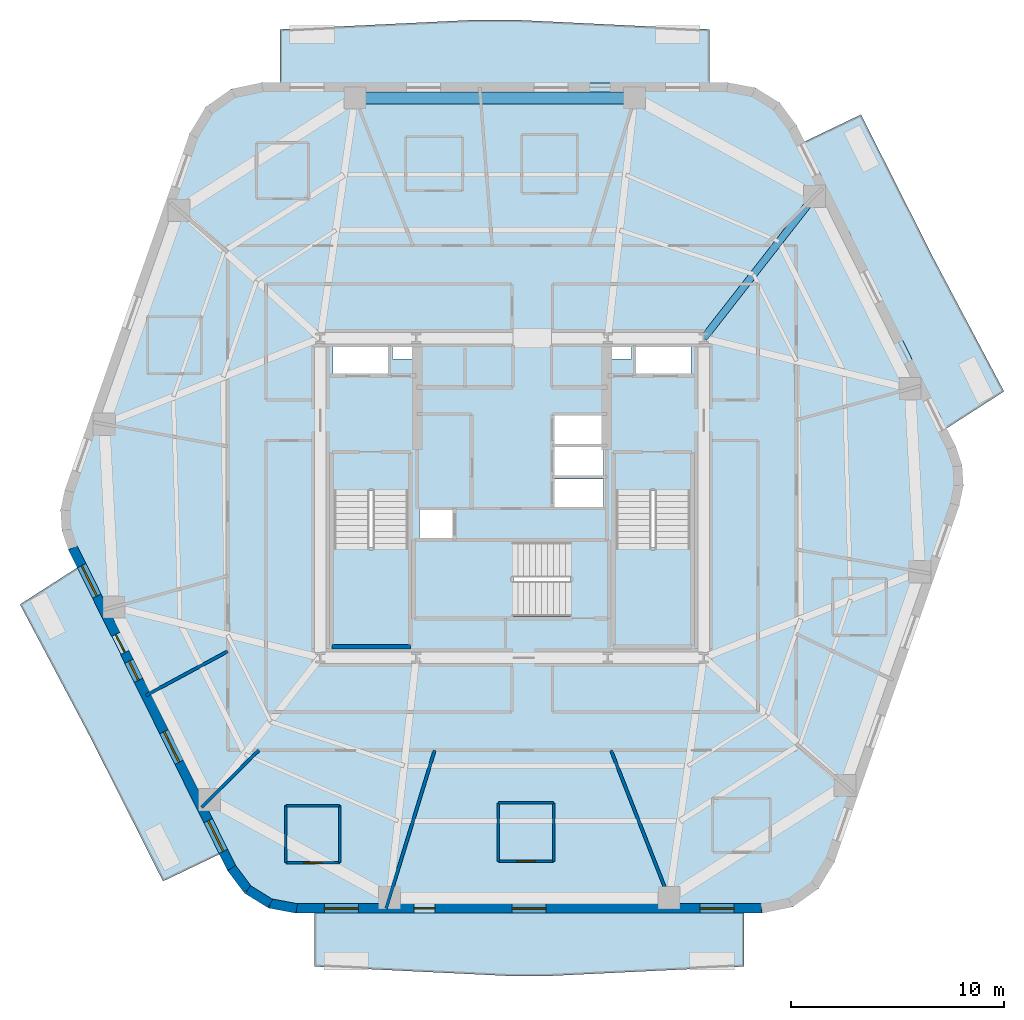
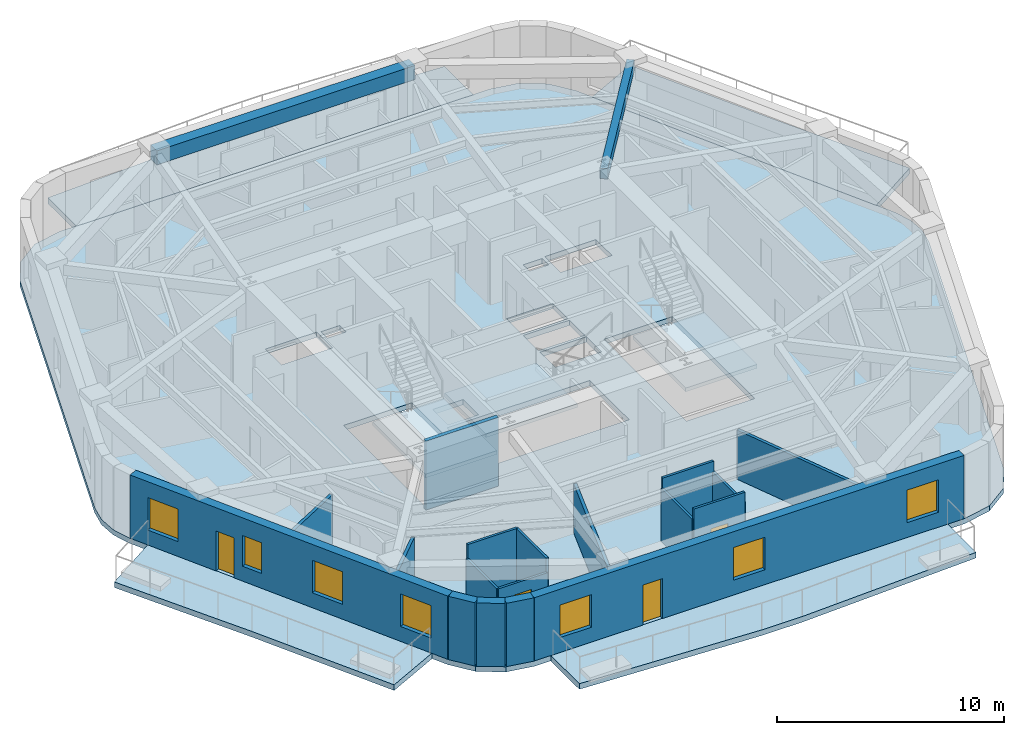
# One storey, part 2 of 10: 18 walls, 8 slabs, 7 windows, 4 doors, 2 beams, 11 openings, 3 elements without a shape of their own.
"""IFC4 building model written with IfcOpenShell, lengths in metres."""

from ifc_helpers import new_model, si_unit, direction, frame, frame_2d, origin, origin_2d, place, context, subcontext, project, spatial, polyline, rectangle, outline, extrude, material, layer, layer_set, material_profile, profile_set, type_object, element, fill, aggregate, save


model = new_model("IFC4")

# Units and contexts
model_context = context("Model", 3, precision=1e-05, world=origin(), true_north=direction((0.0, 1.0)))
body_context = subcontext(model_context, "Body", "Model", "MODEL_VIEW")
ifc_project = project(units=[si_unit("LENGTHUNIT", "METRE"), si_unit("AREAUNIT", "SQUARE_METRE"), si_unit("VOLUMEUNIT", "CUBIC_METRE"), si_unit("PLANEANGLEUNIT", "RADIAN"), si_unit("MASSUNIT", "GRAM", prefix="KILO")], contexts=[model_context])

# Site, building, storey
site_placement = place(None, origin())
site = spatial("IfcSite", under=ifc_project, at=site_placement, CompositionType="ELEMENT")
building_placement = place(site_placement, origin())
building = spatial("IfcBuilding", under=site, at=building_placement, Name="Kilnhurst Terrace Hotel", CompositionType="ELEMENT")
storey_placement = place(building_placement, frame((0.0, 0.0, 155.39990234375)))
storey = spatial("IfcBuildingStorey", under=building, at=storey_placement, Name="L38", CompositionType="ELEMENT", Elevation=155.39990234375)

# Beams
ifc_material_1 = material(Name="Concrete C50/60", Category="concrete")
ifc_material_profile_1 = material_profile(ifc_material_1, rectangle(XDim=0.35009765625, YDim=0.550048828125, at=origin_2d()), Name="RC350X550")
ifc_profile_set_1 = profile_set([ifc_material_profile_1], Name="Concrete C50/60")
beam_type_1 = type_object("IfcBeamType", Name="BM-RAD-350X550", PredefinedType="BEAM", material=ifc_profile_set_1)
beam_1_placement = place(storey_placement, frame((9.0, 7.5, 3.125), z_axis=(0.615370616457, 0.78823791104, 0.0), x_axis=(-0.78823791104, 0.615370616457, 0.0)))
element("IfcBeam", 1, at=beam_1_placement, inside=storey, type_object=beam_type_1, Name="L38 Radial Floor Beam 6", PredefinedType="BEAM", context=body_context, shape_type="SweptSolid", body=[
    extrude(rectangle(XDim=0.35009765625, YDim=0.550048828125, at=origin_2d()), origin(), (0.0, 0.0, 1.0), 8.456787109375),
])
ifc_material_profile_2 = material_profile(ifc_material_1, rectangle(XDim=0.550048828125, YDim=0.75, at=origin_2d()), Name="RC550X750")
ifc_profile_set_2 = profile_set([ifc_material_profile_2], Name="Concrete C50/60")
beam_type_2 = type_object("IfcBeamType", Name="BM-SPN-550X750", PredefinedType="SPANDREL", material=ifc_profile_set_2)
beam_2_placement = place(storey_placement, frame((5.7548828125, 18.780029296875, 3.025146484375), z_axis=(-1.0, 0.0, 0.0), x_axis=(0.0, -1.0, 0.0)))
element("IfcBeam", 2, at=beam_2_placement, inside=storey, type_object=beam_type_2, Name="L38 Perimeter Spandrel Beam 7", PredefinedType="SPANDREL", context=body_context, shape_type="SweptSolid", body=[
    extrude(rectangle(XDim=0.550048828125, YDim=0.75, at=origin_2d()), origin(), (0.0, 0.0, 1.0), 13.123779296875),
])

# Slabs
ifc_layer_1 = layer(ifc_material_1, 0.300048828125, Name="Concrete C50/60")
ifc_layer_set_1 = layer_set([ifc_layer_1], Name="Concrete C50/60")
slab_type_1 = type_object("IfcSlabType", Name="SLB-BAL-300", PredefinedType="FLOOR", material=ifc_layer_set_1)
slab_1_placement = place(storey_placement, frame((0.0, 0.0, -0.2998046875)))
element("IfcSlab", 3, at=slab_1_placement, inside=storey, type_object=slab_type_1, Name="L38 Cantilevered Planted Terrace Slab BAL-L1A", PredefinedType="FLOOR", context=body_context, shape_type="SweptSolid", body=[
    extrude(outline(polyline([(19.769287109375, 11.293212890625), (23.100830078125, 5.0), (20.393310546875, 3.25927734375), (13.718505859375, 16.72021484375), (16.384033203125, 18.0), (19.769287109375, 11.293212890625)])), origin(), (0.0, 0.0, 1.0), 0.2998046875),
])
slab_2_placement = place(storey_placement, frame((0.0, 0.0, -0.2998046875)))
element("IfcSlab", 4, at=slab_2_placement, inside=storey, type_object=slab_type_1, Name="L38 Cantilevered Planted Terrace Slab BAL-L1B", PredefinedType="FLOOR", context=body_context, shape_type="SweptSolid", body=[
    extrude(outline(polyline([(0.221923828125, 22.43994140625), (9.279296875, 22.0), (9.279296875, 19.47998046875), (-10.8935546875, 19.47998046875), (-10.8935546875, 22.0), (-1.83642578125, 22.43994140625), (0.221923828125, 22.43994140625)])), origin(), (0.0, 0.0, 1.0), 0.2998046875),
])
slab_3_placement = place(storey_placement, frame((0.0, 0.0, -0.2998046875)))
element("IfcSlab", 5, at=slab_3_placement, inside=storey, type_object=slab_type_1, Name="L38 Cantilevered Planted Terrace Slab BAL-L2A", PredefinedType="FLOOR", context=body_context, shape_type="SweptSolid", body=[
    extrude(outline(polyline([(-23.100830078125, -5.0), (-20.393310546875, -3.25927734375), (-13.718505859375, -16.72021484375), (-16.384033203125, -18.0), (-19.769287109375, -11.293212890625), (-23.100830078125, -5.0)])), origin(), (0.0, 0.0, 1.0), 0.2998046875),
])
slab_4_placement = place(storey_placement, frame((0.0, 0.0, -0.2998046875)))
element("IfcSlab", 6, at=slab_4_placement, inside=storey, type_object=slab_type_1, Name="L38 Cantilevered Planted Terrace Slab BAL-L2B", PredefinedType="FLOOR", context=body_context, shape_type="SweptSolid", body=[
    extrude(outline(polyline([(-0.221923828125, -22.43994140625), (-9.279296875, -22.0), (-9.279296875, -19.47998046875), (10.8935546875, -19.47998046875), (10.8935546875, -22.0), (1.83642578125, -22.43994140625), (-0.221923828125, -22.43994140625)])), origin(), (0.0, 0.0, 1.0), 0.2998046875),
])
ifc_layer_2 = layer(ifc_material_1, 0.280029296875, Name="Concrete C50/60")
ifc_layer_set_2 = layer_set([ifc_layer_2], Name="Concrete C50/60")
slab_type_2 = type_object("IfcSlabType", Name="SLB-FLR-280", PredefinedType="FLOOR", material=ifc_layer_set_2)
slab_5_placement = place(storey_placement, frame((0.0, 0.0, -0.27978515625)))
element("IfcSlab", 7, at=slab_5_placement, inside=storey, type_object=slab_type_2, Name="L38 Structural Floor Slab", PredefinedType="FLOOR", context=body_context, shape_type="SweptSolid", body=[
    extrude(outline(polyline([(-13.3544921875, -17.499267578125), (-12.5576171875, -18.5576171875), (-11.431640625, -19.256103515625), (-10.12939453125, -19.5), (11.74365234375, -19.5), (13.18310546875, -19.19970703125), (14.38232421875, -18.348876953125), (15.141357421875, -17.089599609375), (20.9990234375, -0.3583984375), (21.192138671875, 0.57568359375), (21.13330078125, 1.527587890625), (20.82666015625, 2.4306640625), (13.3544921875, 17.499267578125), (12.5576171875, 18.5576171875), (11.431640625, 19.256103515625), (10.12939453125, 19.5), (-11.74365234375, 19.5), (-13.18310546875, 19.19970703125), (-14.38232421875, 18.348876953125), (-15.141357421875, 17.089599609375), (-20.9990234375, 0.3583984375), (-21.192138671875, -0.57568359375), (-21.13330078125, -1.527587890625), (-20.82666015625, -2.4306640625), (-13.3544921875, -17.499267578125)]), holes=[polyline([(2.7548828125, -2.080078125), (2.7548828125, -5.550048828125), (-4.5, -5.550048828125), (-4.5, -2.080078125), (2.7548828125, -2.080078125)]), polyline([(-8.35009765625, 0.35498046875), (-4.8798828125, 0.35498046875), (-4.8798828125, -6.89990234375), (-8.35009765625, -6.89990234375), (-8.35009765625, 0.35498046875)]), polyline([(-2.800048828125, -1.89990234375), (-4.35009765625, -1.89990234375), (-4.35009765625, -0.550048828125), (-2.800048828125, -0.550048828125), (-2.800048828125, -1.89990234375)]), polyline([(1.949951171875, -0.429931640625), (1.949951171875, 0.89990234375), (4.300048828125, 0.89990234375), (4.300048828125, -0.429931640625), (1.949951171875, -0.429931640625)]), polyline([(-8.39990234375, 5.75), (-8.39990234375, 7.14990234375), (-5.800048828125, 7.14990234375), (-5.800048828125, 5.75), (-8.39990234375, 5.75)]), polyline([(-4.659912109375, 6.52001953125), (-5.6201171875, 6.52001953125), (-5.6201171875, 7.080078125), (-4.659912109375, 7.080078125), (-4.659912109375, 6.52001953125)]), polyline([(8.35009765625, 0.35498046875), (8.35009765625, -6.89990234375), (4.8798828125, -6.89990234375), (4.8798828125, 0.35498046875), (8.35009765625, 0.35498046875)]), polyline([(1.949951171875, 1.050048828125), (1.949951171875, 2.3798828125), (4.300048828125, 2.3798828125), (4.300048828125, 1.050048828125), (1.949951171875, 1.050048828125)]), polyline([(4.300048828125, 2.530029296875), (1.949951171875, 2.530029296875), (1.949951171875, 3.860107421875), (4.300048828125, 3.860107421875), (4.300048828125, 2.530029296875)]), polyline([(5.800048828125, 5.75), (5.800048828125, 7.14990234375), (8.39990234375, 7.14990234375), (8.39990234375, 5.75), (5.800048828125, 5.75)]), polyline([(4.659912109375, 6.52001953125), (4.659912109375, 7.080078125), (5.6201171875, 7.080078125), (5.6201171875, 6.52001953125), (4.659912109375, 6.52001953125)])]), origin(), (0.0, 0.0, 1.0), 0.27978515625),
])

# Stair, slab
stair_type = type_object("IfcStairType", Name="STR-CORE-1660", PredefinedType="HALF_TURN_STAIR", material=ifc_material_1)
stair_1_placement = place(storey_placement, origin())
stair_1 = element("IfcStair", 8, at=stair_1_placement, inside=storey, type_object=stair_type, Name="L38 ST-1", PredefinedType="HALF_TURN_STAIR")
ifc_layer_3 = layer(ifc_material_1, 0.199951171875, Name="Concrete C50/60")
ifc_layer_set_3 = layer_set([ifc_layer_3], Name="Concrete C50/60")
slab_type_3 = type_object("IfcSlabType", Name="SLB-ST-LND-200", PredefinedType="LANDING", material=ifc_layer_set_3)
slab_6_placement = place(storey_placement, frame((0.0, 0.0, 1.650146484375)))
slab_6 = element("IfcSlab", 9, at=slab_6_placement, type_object=slab_type_3, Name="ST-1 landing 1", PredefinedType="LANDING", context=body_context, shape_type="SweptSolid", body=[
    extrude(outline(polyline([(-8.429931640625, -2.330078125), (-4.800048828125, -2.330078125), (-4.800048828125, -6.97998046875), (-8.429931640625, -6.97998046875), (-8.429931640625, -2.330078125)])), origin(), (0.0, 0.0, 1.0), 0.199951171875),
])
aggregate(stair_1, [slab_6])

stair_2_placement = place(storey_placement, origin())
stair_2 = element("IfcStair", 10, at=stair_2_placement, inside=storey, type_object=stair_type, Name="L38 ST-2", PredefinedType="HALF_TURN_STAIR")
slab_7_placement = place(storey_placement, frame((0.0, 0.0, 1.650146484375)))
slab_7 = element("IfcSlab", 11, at=slab_7_placement, type_object=slab_type_3, Name="ST-2 landing 1", PredefinedType="LANDING", context=body_context, shape_type="SweptSolid", body=[
    extrude(outline(polyline([(4.800048828125, -2.330078125), (8.429931640625, -2.330078125), (8.429931640625, -6.97998046875), (4.800048828125, -6.97998046875), (4.800048828125, -2.330078125)])), origin(), (0.0, 0.0, 1.0), 0.199951171875),
])
aggregate(stair_2, [slab_7])

stair_3_placement = place(storey_placement, origin())
stair_3 = element("IfcStair", 12, at=stair_3_placement, inside=storey, type_object=stair_type, Name="L38 ST-3", PredefinedType="HALF_TURN_STAIR")
slab_8_placement = place(storey_placement, frame((0.0, 0.0, 1.650146484375)))
slab_8 = element("IfcSlab", 13, at=slab_8_placement, type_object=slab_type_3, Name="ST-3 landing 1", PredefinedType="LANDING", context=body_context, shape_type="SweptSolid", body=[
    extrude(outline(polyline([(0.070068359375, -2.0), (0.070068359375, -5.6298828125), (-4.580078125, -5.6298828125), (-4.580078125, -2.0), (0.070068359375, -2.0)])), origin(), (0.0, 0.0, 1.0), 0.199951171875),
])
aggregate(stair_3, [slab_8])

# Walls
ifc_material_2 = material(Name="Precast concrete C40/50", Category="concrete")
ifc_layer_4 = layer(ifc_material_2, 0.449951171875, Name="Precast concrete C40/50")
ifc_layer_set_4 = layer_set([ifc_layer_4], Name="Precast concrete C40/50")
wall_type_1 = type_object("IfcWallType", Name="WL-BRK-450", PredefinedType="SOLIDWALL", material=ifc_layer_set_4)
wall_1_placement = place(storey_placement, frame((-13.162353515625, -17.380615234375, 0.0), z_axis=(0.0, 0.0, 1.0), x_axis=(0.601515770517, -0.798860925205, 0.0)))
element("IfcWall", 14, at=wall_1_placement, inside=storey, type_object=wall_type_1, Name="L38 Rounded Corner Brick Wall C1.1", PredefinedType="SOLIDWALL", context=body_context, shape_type="SweptSolid", body=[
    extrude(rectangle(XDim=1.261962890625, YDim=0.449951171875, at=frame_2d((0.630859375, 0.0))), origin(), (0.0, 0.0, 1.0), 3.400146484375),
])
wall_2_placement = place(storey_placement, frame((-12.4033203125, -18.388671875, 0.0), z_axis=(0.0, 0.0, 1.0), x_axis=(0.849795170926, -0.527113049991, 0.0)))
element("IfcWall", 15, at=wall_2_placement, inside=storey, type_object=wall_type_1, Name="L38 Rounded Corner Brick Wall C1.2", PredefinedType="SOLIDWALL", context=body_context, shape_type="SweptSolid", body=[
    extrude(rectangle(XDim=1.24072265625, YDim=0.449951171875, at=frame_2d((0.620361328125, 0.0))), origin(), (0.0, 0.0, 1.0), 3.400146484375),
])
wall_3_placement = place(storey_placement, frame((-11.348876953125, -19.042724609375, 0.0), z_axis=(0.0, 0.0, 1.0), x_axis=(0.982931267051, -0.183973161772, 0.0)))
element("IfcWall", 16, at=wall_3_placement, inside=storey, type_object=wall_type_1, Name="L38 Rounded Corner Brick Wall C1.3", PredefinedType="SOLIDWALL", context=body_context, shape_type="SweptSolid", body=[
    extrude(rectangle(XDim=1.261962890625, YDim=0.449951171875, at=frame_2d((0.630859375, 0.0))), origin(), (0.0, 0.0, 1.0), 3.400146484375),
])

# Wall, openings, door, windows
wall_4_placement = place(storey_placement, frame((-10.1083984375, -19.27490234375, 0.0), z_axis=(0.0, 0.0, 1.0), x_axis=(1.0, 0.0, 0.0)))
wall_4 = element("IfcWall", 17, at=wall_4_placement, inside=storey, type_object=wall_type_1, Name="L38 Exterior Brick Facade Wall F1", PredefinedType="SOLIDWALL", context=body_context, shape_type="SweptSolid", body=[
    extrude(rectangle(XDim=21.828857421875, YDim=0.449951171875, at=frame_2d((10.91455078125, 0.0))), origin(), (0.0, 0.0, 1.0), 3.400146484375),
])
opening_1_placement = place(wall_4_placement, frame((5.5029296875, 0.0, 0.0)))
opening_1 = element("IfcOpeningElement", 18, at=opening_1_placement, cuts=wall_4, Name="Opening BD-1000", PredefinedType="OPENING", context=body_context, shape_type="SweptSolid", body=[
    extrude(rectangle(XDim=1.0, YDim=2.14990234375, at=frame_2d((0.5, 1.074951171875))), frame((0.0, 0.23486328125, 0.0), z_axis=(0.0, -1.0, 0.0), x_axis=(1.0, 0.0, 0.0)), (0.0, 0.0, 1.0), 0.469970703125),
])
opening_2_placement = place(wall_4_placement, frame((1.297119140625, 0.0, 0.800048828125)))
opening_2 = element("IfcOpeningElement", 19, at=opening_2_placement, cuts=wall_4, Name="Opening W-05", PredefinedType="OPENING", context=body_context, shape_type="SweptSolid", body=[
    extrude(rectangle(XDim=1.60009765625, YDim=1.75, at=frame_2d((0.800048828125, 0.875))), frame((0.0, 0.23486328125, 0.0), z_axis=(0.0, -1.0, 0.0), x_axis=(1.0, 0.0, 0.0)), (0.0, 0.0, 1.0), 0.469970703125),
])
opening_3_placement = place(wall_4_placement, frame((10.114990234375, 0.0, 0.800048828125)))
opening_3 = element("IfcOpeningElement", 20, at=opening_3_placement, cuts=wall_4, Name="Opening W-05", PredefinedType="OPENING", context=body_context, shape_type="SweptSolid", body=[
    extrude(rectangle(XDim=1.60009765625, YDim=1.75, at=frame_2d((0.800048828125, 0.875))), frame((0.0, 0.23486328125, 0.0), z_axis=(0.0, -1.0, 0.0), x_axis=(1.0, 0.0, 0.0)), (0.0, 0.0, 1.0), 0.469970703125),
])
opening_4_placement = place(wall_4_placement, frame((18.93310546875, 0.0, 0.800048828125)))
opening_4 = element("IfcOpeningElement", 21, at=opening_4_placement, cuts=wall_4, Name="Opening W-05", PredefinedType="OPENING", context=body_context, shape_type="SweptSolid", body=[
    extrude(rectangle(XDim=1.60009765625, YDim=1.75, at=frame_2d((0.800048828125, 0.875))), frame((0.0, 0.23486328125, 0.0), z_axis=(0.0, -1.0, 0.0), x_axis=(1.0, 0.0, 0.0)), (0.0, 0.0, 1.0), 0.469970703125),
])
ifc_material_3 = material(Name="Thermally Broken Bronze Aluminium Alloy 6063-T6 and Laminated Glass", Category="aluminium")
door_type_1 = type_object("IfcDoorType", Name="DR-EXT-BAL-1000", OperationType="NOTDEFINED", PredefinedType="DOOR", material=ifc_material_3)
door_1_placement = place(opening_1_placement, origin())
door_1 = element("IfcDoor", 22, at=door_1_placement, inside=storey, type_object=door_type_1, Name="L38 Planted Balcony Door BAL-L2B", OperationType="SINGLE_SWING_LEFT", OverallHeight=2.14990234375, OverallWidth=1.0, PredefinedType="DOOR", context=body_context, shape_type="SweptSolid", body=[
    extrude(rectangle(XDim=1.0, YDim=2.14990234375, at=frame_2d((0.5, 1.074951171875))), frame((0.0, 0.02490234375, 0.0), z_axis=(0.0, -1.0, 0.0), x_axis=(1.0, 0.0, 0.0)), (0.0, 0.0, 1.0), 0.050048828125),
])
fill(opening_1, door_1)
ifc_material_4 = material(Name="Thermally Broken Bronze Aluminium Alloy 6063-T6 and Low-E Glass", Category="aluminium")
window_type_1 = type_object("IfcWindowType", Name="WIN-1600X1750", PartitioningType="SINGLE_PANEL", PredefinedType="WINDOW", material=ifc_material_4)
window_1_placement = place(opening_2_placement, origin())
window_1 = element("IfcWindow", 23, at=window_1_placement, inside=storey, type_object=window_type_1, Name="L38 Deep-Set Masonry Window F1.1", OverallHeight=1.75, OverallWidth=1.60009765625, PartitioningType="SINGLE_PANEL", PredefinedType="WINDOW", context=body_context, shape_type="SweptSolid", body=[
    extrude(rectangle(XDim=1.60009765625, YDim=1.75, at=frame_2d((0.800048828125, 0.875))), frame((0.0, 0.030029296875, 0.0), z_axis=(0.0, -1.0, 0.0), x_axis=(1.0, 0.0, 0.0)), (0.0, 0.0, 1.0), 0.06005859375),
])
fill(opening_2, window_1)
window_2_placement = place(opening_3_placement, origin())
window_2 = element("IfcWindow", 24, at=window_2_placement, inside=storey, type_object=window_type_1, Name="L38 Deep-Set Masonry Window F1.2", OverallHeight=1.75, OverallWidth=1.60009765625, PartitioningType="SINGLE_PANEL", PredefinedType="WINDOW", context=body_context, shape_type="SweptSolid", body=[
    extrude(rectangle(XDim=1.60009765625, YDim=1.75, at=frame_2d((0.800048828125, 0.875))), frame((0.0, 0.030029296875, 0.0), z_axis=(0.0, -1.0, 0.0), x_axis=(1.0, 0.0, 0.0)), (0.0, 0.0, 1.0), 0.06005859375),
])
fill(opening_3, window_2)
window_3_placement = place(opening_4_placement, origin())
window_3 = element("IfcWindow", 25, at=window_3_placement, inside=storey, type_object=window_type_1, Name="L38 Deep-Set Masonry Window F1.3", OverallHeight=1.75, OverallWidth=1.60009765625, PartitioningType="SINGLE_PANEL", PredefinedType="WINDOW", context=body_context, shape_type="SweptSolid", body=[
    extrude(rectangle(XDim=1.60009765625, YDim=1.75, at=frame_2d((0.800048828125, 0.875))), frame((0.0, 0.030029296875, 0.0), z_axis=(0.0, -1.0, 0.0), x_axis=(1.0, 0.0, 0.0)), (0.0, 0.0, 1.0), 0.06005859375),
])
fill(opening_4, window_3)

wall_5_placement = place(storey_placement, frame((-20.618408203125, -2.343994140625, 0.0), z_axis=(0.0, 0.0, 1.0), x_axis=(0.444243691097, -0.895905990002, 0.0)))
wall_5 = element("IfcWall", 26, at=wall_5_placement, inside=storey, type_object=wall_type_1, Name="L38 Exterior Brick Facade Wall F6", PredefinedType="SOLIDWALL", context=body_context, shape_type="SweptSolid", body=[
    extrude(rectangle(XDim=16.78369140625, YDim=0.449951171875, at=frame_2d((8.391845703125, 0.0))), origin(), (0.0, 0.0, 1.0), 3.400146484375),
])
opening_5_placement = place(wall_5_placement, frame((4.534912109375, 0.0, 0.0)))
opening_5 = element("IfcOpeningElement", 27, at=opening_5_placement, cuts=wall_5, Name="Opening BD-950", PredefinedType="OPENING", context=body_context, shape_type="SweptSolid", body=[
    extrude(rectangle(XDim=0.949951171875, YDim=2.14990234375, at=frame_2d((0.47509765625, 1.074951171875))), frame((0.0, 0.23486328125, 0.0), z_axis=(0.0, -1.0, 0.0), x_axis=(1.0, 0.0, 0.0)), (0.0, 0.0, 1.0), 0.469970703125),
])
opening_6_placement = place(wall_5_placement, frame((0.930908203125, 0.0, 0.800048828125)))
opening_6 = element("IfcOpeningElement", 28, at=opening_6_placement, cuts=wall_5, Name="Opening W-05", PredefinedType="OPENING", context=body_context, shape_type="SweptSolid", body=[
    extrude(rectangle(XDim=1.60009765625, YDim=1.75, at=frame_2d((0.800048828125, 0.875))), frame((0.0, 0.23486328125, 0.0), z_axis=(0.0, -1.0, 0.0), x_axis=(1.0, 0.0, 0.0)), (0.0, 0.0, 1.0), 0.469970703125),
])
opening_7_placement = place(wall_5_placement, frame((5.94189453125, 0.0, 0.800048828125)))
opening_7 = element("IfcOpeningElement", 29, at=opening_7_placement, cuts=wall_5, Name="Opening W-08", PredefinedType="OPENING", context=body_context, shape_type="SweptSolid", body=[
    extrude(rectangle(XDim=1.0, YDim=1.64990234375, at=frame_2d((0.5, 0.824951171875))), frame((0.0, 0.23486328125, 0.0), z_axis=(0.0, -1.0, 0.0), x_axis=(1.0, 0.0, 0.0)), (0.0, 0.0, 1.0), 0.469970703125),
])
opening_8_placement = place(wall_5_placement, frame((9.633056640625, 0.0, 0.800048828125)))
opening_8 = element("IfcOpeningElement", 30, at=opening_8_placement, cuts=wall_5, Name="Opening W-05", PredefinedType="OPENING", context=body_context, shape_type="SweptSolid", body=[
    extrude(rectangle(XDim=1.60009765625, YDim=1.75, at=frame_2d((0.800048828125, 0.875))), frame((0.0, 0.23486328125, 0.0), z_axis=(0.0, -1.0, 0.0), x_axis=(1.0, 0.0, 0.0)), (0.0, 0.0, 1.0), 0.469970703125),
])
opening_9_placement = place(wall_5_placement, frame((14.302978515625, 0.0, 0.800048828125)))
opening_9 = element("IfcOpeningElement", 31, at=opening_9_placement, cuts=wall_5, Name="Opening W-05", PredefinedType="OPENING", context=body_context, shape_type="SweptSolid", body=[
    extrude(rectangle(XDim=1.60009765625, YDim=1.75, at=frame_2d((0.800048828125, 0.875))), frame((0.0, 0.23486328125, 0.0), z_axis=(0.0, -1.0, 0.0), x_axis=(1.0, 0.0, 0.0)), (0.0, 0.0, 1.0), 0.469970703125),
])
door_type_2 = type_object("IfcDoorType", Name="DR-EXT-BAL-950", OperationType="NOTDEFINED", PredefinedType="DOOR", material=ifc_material_3)
door_2_placement = place(opening_5_placement, origin())
door_2 = element("IfcDoor", 32, at=door_2_placement, inside=storey, type_object=door_type_2, Name="L38 Planted Balcony Door BAL-L2A", OperationType="SINGLE_SWING_RIGHT", OverallHeight=2.14990234375, OverallWidth=0.949951171875, PredefinedType="DOOR", context=body_context, shape_type="SweptSolid", body=[
    extrude(rectangle(XDim=0.949951171875, YDim=2.14990234375, at=frame_2d((0.47509765625, 1.074951171875))), frame((0.0, 0.02490234375, 0.0), z_axis=(0.0, -1.0, 0.0), x_axis=(1.0, 0.0, 0.0)), (0.0, 0.0, 1.0), 0.050048828125),
])
fill(opening_5, door_2)
window_type_2 = type_object("IfcWindowType", Name="WIN-1000X1650", PartitioningType="SINGLE_PANEL", PredefinedType="WINDOW", material=ifc_material_4)
window_4_placement = place(opening_7_placement, origin())
window_4 = element("IfcWindow", 33, at=window_4_placement, inside=storey, type_object=window_type_2, Name="L38 Deep-Set Masonry Window F6.2", OverallHeight=1.64990234375, OverallWidth=1.0, PartitioningType="SINGLE_PANEL", PredefinedType="WINDOW", context=body_context, shape_type="SweptSolid", body=[
    extrude(rectangle(XDim=1.0, YDim=1.64990234375, at=frame_2d((0.5, 0.824951171875))), frame((0.0, 0.030029296875, 0.0), z_axis=(0.0, -1.0, 0.0), x_axis=(1.0, 0.0, 0.0)), (0.0, 0.0, 1.0), 0.06005859375),
])
fill(opening_7, window_4)
window_5_placement = place(opening_6_placement, origin())
window_5 = element("IfcWindow", 34, at=window_5_placement, inside=storey, type_object=window_type_1, Name="L38 Deep-Set Masonry Window F6.1", OverallHeight=1.75, OverallWidth=1.60009765625, PartitioningType="SINGLE_PANEL", PredefinedType="WINDOW", context=body_context, shape_type="SweptSolid", body=[
    extrude(rectangle(XDim=1.60009765625, YDim=1.75, at=frame_2d((0.800048828125, 0.875))), frame((0.0, 0.030029296875, 0.0), z_axis=(0.0, -1.0, 0.0), x_axis=(1.0, 0.0, 0.0)), (0.0, 0.0, 1.0), 0.06005859375),
])
fill(opening_6, window_5)
window_6_placement = place(opening_8_placement, origin())
window_6 = element("IfcWindow", 35, at=window_6_placement, inside=storey, type_object=window_type_1, Name="L38 Deep-Set Masonry Window F6.3", OverallHeight=1.75, OverallWidth=1.60009765625, PartitioningType="SINGLE_PANEL", PredefinedType="WINDOW", context=body_context, shape_type="SweptSolid", body=[
    extrude(rectangle(XDim=1.60009765625, YDim=1.75, at=frame_2d((0.800048828125, 0.875))), frame((0.0, 0.030029296875, 0.0), z_axis=(0.0, -1.0, 0.0), x_axis=(1.0, 0.0, 0.0)), (0.0, 0.0, 1.0), 0.06005859375),
])
fill(opening_8, window_6)
window_7_placement = place(opening_9_placement, origin())
window_7 = element("IfcWindow", 36, at=window_7_placement, inside=storey, type_object=window_type_1, Name="L38 Deep-Set Masonry Window F6.4", OverallHeight=1.75, OverallWidth=1.60009765625, PartitioningType="SINGLE_PANEL", PredefinedType="WINDOW", context=body_context, shape_type="SweptSolid", body=[
    extrude(rectangle(XDim=1.60009765625, YDim=1.75, at=frame_2d((0.800048828125, 0.875))), frame((0.0, 0.030029296875, 0.0), z_axis=(0.0, -1.0, 0.0), x_axis=(1.0, 0.0, 0.0)), (0.0, 0.0, 1.0), 0.06005859375),
])
fill(opening_9, window_7)

# Walls
ifc_material_5 = material(Name="STC-58 Acoustic Twin-Frame Guestroom Demising Partition")
ifc_layer_5 = layer(ifc_material_5, 0.14990234375, Name="STC-58 Acoustic Twin-Frame Guestroom Demising Partition")
ifc_layer_set_5 = layer_set([ifc_layer_5], Name="STC-58 Acoustic Twin-Frame Guestroom Demising Partition")
wall_type_2 = type_object("IfcWallType", Name="WL-DEM-150", PredefinedType="PARTITIONING", material=ifc_layer_set_5)
wall_6_placement = place(storey_placement, frame((-13.35009765625, -7.2041015625, 0.0), z_axis=(0.0, 0.0, 1.0), x_axis=(-0.880033329067, -0.474911928394, 0.0)))
element("IfcWall", 37, at=wall_6_placement, inside=storey, type_object=wall_type_2, Name="L38 Interior Wall WL-L38-DEM-MID07-09-1", PredefinedType="PARTITIONING", context=body_context, shape_type="SweptSolid", body=[
    extrude(rectangle(XDim=4.355224609375, YDim=0.14990234375, at=frame_2d((2.177734375, 0.0))), origin(), (0.0, 0.0, 1.0), 2.64013671875),
])
wall_7_placement = place(storey_placement, frame((-11.8818359375, -11.85009765625, 0.0), z_axis=(0.0, 0.0, 1.0), x_axis=(-0.708037373639, -0.706174962407, 0.0)))
element("IfcWall", 38, at=wall_7_placement, inside=storey, type_object=wall_type_2, Name="L38 Interior Wall WL-L38-DEM-COL08-10-1", PredefinedType="PARTITIONING", context=body_context, shape_type="SweptSolid", body=[
    extrude(rectangle(XDim=3.801513671875, YDim=0.14990234375, at=frame_2d((1.90087890625, 0.0))), origin(), (0.0, 0.0, 1.0), 2.64013671875),
])
wall_8_placement = place(storey_placement, frame((-3.63134765625, -11.85009765625, 0.0), z_axis=(0.0, 0.0, 1.0), x_axis=(-0.293007573338, -0.956110120209, 0.0)))
element("IfcWall", 39, at=wall_8_placement, inside=storey, type_object=wall_type_2, Name="L38 Interior Wall WL-L38-DEM-COL09-11-1", PredefinedType="PARTITIONING", context=body_context, shape_type="SweptSolid", body=[
    extrude(rectangle(XDim=7.765625, YDim=0.14990234375, at=frame_2d((3.8828125, 0.0))), origin(), (0.0, 0.0, 1.0), 2.64013671875),
])
wall_9_placement = place(storey_placement, frame((4.64990234375, -11.85009765625, 0.0), z_axis=(0.0, 0.0, 1.0), x_axis=(0.365265947993, -0.930903210456, 0.0)))
element("IfcWall", 40, at=wall_9_placement, inside=storey, type_object=wall_type_2, Name="L38 Interior Wall WL-L38-DEM-COL10-12-1", PredefinedType="PARTITIONING", context=body_context, shape_type="SweptSolid", body=[
    extrude(rectangle(XDim=7.975830078125, YDim=0.14990234375, at=frame_2d((3.98779296875, 0.0))), origin(), (0.0, 0.0, 1.0), 2.64013671875),
])

# Wall, opening, door
ifc_material_6 = material(Name="120 mm Moisture-Resistant Tile-Backed Bathroom Partition")
ifc_layer_6 = layer(ifc_material_6, 0.1201171875, Name="120 mm Moisture-Resistant Tile-Backed Bathroom Partition")
ifc_layer_set_6 = layer_set([ifc_layer_6], Name="120 mm Moisture-Resistant Tile-Backed Bathroom Partition")
wall_type_3 = type_object("IfcWallType", Name="WL-PART-120", PredefinedType="PARTITIONING", material=ifc_layer_set_6)
wall_10_placement = place(storey_placement, frame((-10.617919921875, -17.1259765625, 0.0), z_axis=(0.0, 0.0, 1.0), x_axis=(1.0, 0.0, 0.0)))
wall_10 = element("IfcWall", 41, at=wall_10_placement, inside=storey, type_object=wall_type_3, Name="L38 Interior Wall WL-L38-BTH-10-1", PredefinedType="PARTITIONING", context=body_context, shape_type="SweptSolid", body=[
    extrude(rectangle(XDim=2.52001953125, YDim=0.1201171875, at=frame_2d((1.260009765625, 0.0))), origin(), (0.0, 0.0, 1.0), 2.64013671875),
])
opening_10_placement = place(wall_10_placement, frame((0.8349609375, 0.0, 0.0)))
opening_10 = element("IfcOpeningElement", 42, at=opening_10_placement, cuts=wall_10, Name="Opening D-08A", PredefinedType="OPENING", context=body_context, shape_type="SweptSolid", body=[
    extrude(rectangle(XDim=0.85009765625, YDim=2.030029296875, at=frame_2d((0.425048828125, 1.01513671875))), frame((0.0, 0.070068359375, 0.0), z_axis=(0.0, -1.0, 0.0), x_axis=(1.0, 0.0, 0.0)), (0.0, 0.0, 1.0), 0.14013671875),
])
ifc_material_7 = material(Name="Moisture-Resistant Lacquered En-suite Bathroom Door")
door_type_3 = type_object("IfcDoorType", Name="DR-INT-850", OperationType="NOTDEFINED", PredefinedType="DOOR", material=ifc_material_7)
door_3_placement = place(opening_10_placement, origin())
door_3 = element("IfcDoor", 43, at=door_3_placement, inside=storey, type_object=door_type_3, Name="L38 En-suite Bathroom Door 10", OperationType="SINGLE_SWING_LEFT", OverallHeight=2.030029296875, OverallWidth=0.85009765625, PredefinedType="DOOR", context=body_context, shape_type="SweptSolid", body=[
    extrude(rectangle(XDim=0.85009765625, YDim=2.030029296875, at=frame_2d((0.425048828125, 1.01513671875))), frame((0.0, 0.02490234375, 0.0), z_axis=(0.0, -1.0, 0.0), x_axis=(1.0, 0.0, 0.0)), (0.0, 0.0, 1.0), 0.050048828125),
])
fill(opening_10, door_3)

# Walls
wall_11_placement = place(storey_placement, frame((-8.097900390625, -17.1259765625, 0.0), z_axis=(0.0, 0.0, 1.0), x_axis=(0.0, 1.0, 0.0)))
element("IfcWall", 44, at=wall_11_placement, inside=storey, type_object=wall_type_3, Name="L38 Interior Wall WL-L38-BTH-10-2", PredefinedType="PARTITIONING", context=body_context, shape_type="SweptSolid", body=[
    extrude(rectangle(XDim=2.679931640625, YDim=0.1201171875, at=frame_2d((1.33984375, 0.0))), origin(), (0.0, 0.0, 1.0), 3.400146484375),
])
wall_12_placement = place(storey_placement, frame((-8.097900390625, -14.446044921875, 0.0), z_axis=(0.0, 0.0, 1.0), x_axis=(-1.0, 0.0, 0.0)))
element("IfcWall", 45, at=wall_12_placement, inside=storey, type_object=wall_type_3, Name="L38 Interior Wall WL-L38-BTH-10-3", PredefinedType="PARTITIONING", context=body_context, shape_type="SweptSolid", body=[
    extrude(rectangle(XDim=2.52001953125, YDim=0.1201171875, at=frame_2d((1.260009765625, 0.0))), origin(), (0.0, 0.0, 1.0), 3.400146484375),
])
wall_13_placement = place(storey_placement, frame((-10.617919921875, -14.446044921875, 0.0), z_axis=(0.0, 0.0, 1.0), x_axis=(0.0, -1.0, 0.0)))
element("IfcWall", 46, at=wall_13_placement, inside=storey, type_object=wall_type_3, Name="L38 Interior Wall WL-L38-BTH-10-4", PredefinedType="PARTITIONING", context=body_context, shape_type="SweptSolid", body=[
    extrude(rectangle(XDim=2.679931640625, YDim=0.1201171875, at=frame_2d((1.33984375, 0.0))), origin(), (0.0, 0.0, 1.0), 2.64013671875),
])

# Wall, opening, door
wall_14_placement = place(storey_placement, frame((-0.64111328125, -17.06298828125, 0.0), z_axis=(0.0, 0.0, 1.0), x_axis=(1.0, 0.0, 0.0)))
wall_14 = element("IfcWall", 47, at=wall_14_placement, inside=storey, type_object=wall_type_3, Name="L38 Interior Wall WL-L38-BTH-11-1", PredefinedType="PARTITIONING", context=body_context, shape_type="SweptSolid", body=[
    extrude(rectangle(XDim=2.60009765625, YDim=0.1201171875, at=frame_2d((1.300048828125, 0.0))), origin(), (0.0, 0.0, 1.0), 3.400146484375),
])
opening_11_placement = place(wall_14_placement, frame((0.875, 0.0, 0.0)))
opening_11 = element("IfcOpeningElement", 48, at=opening_11_placement, cuts=wall_14, Name="Opening D-08A", PredefinedType="OPENING", context=body_context, shape_type="SweptSolid", body=[
    extrude(rectangle(XDim=0.85009765625, YDim=2.030029296875, at=frame_2d((0.425048828125, 1.01513671875))), frame((0.0, 0.070068359375, 0.0), z_axis=(0.0, -1.0, 0.0), x_axis=(1.0, 0.0, 0.0)), (0.0, 0.0, 1.0), 0.14013671875),
])
door_4_placement = place(opening_11_placement, origin())
door_4 = element("IfcDoor", 49, at=door_4_placement, inside=storey, type_object=door_type_3, Name="L38 En-suite Bathroom Door 11", OperationType="SINGLE_SWING_RIGHT", OverallHeight=2.030029296875, OverallWidth=0.85009765625, PredefinedType="DOOR", context=body_context, shape_type="SweptSolid", body=[
    extrude(rectangle(XDim=0.85009765625, YDim=2.030029296875, at=frame_2d((0.425048828125, 1.01513671875))), frame((0.0, 0.02490234375, 0.0), z_axis=(0.0, -1.0, 0.0), x_axis=(1.0, 0.0, 0.0)), (0.0, 0.0, 1.0), 0.050048828125),
])
fill(opening_11, door_4)

# Walls
wall_15_placement = place(storey_placement, frame((1.958984375, -17.06298828125, 0.0), z_axis=(0.0, 0.0, 1.0), x_axis=(0.0, 1.0, 0.0)))
element("IfcWall", 50, at=wall_15_placement, inside=storey, type_object=wall_type_3, Name="L38 Interior Wall WL-L38-BTH-11-2", PredefinedType="PARTITIONING", context=body_context, shape_type="SweptSolid", body=[
    extrude(rectangle(XDim=2.75, YDim=0.1201171875, at=frame_2d((1.375, 0.0))), origin(), (0.0, 0.0, 1.0), 2.840576171875),
])
wall_16_placement = place(storey_placement, frame((1.958984375, -14.31298828125, 0.0), z_axis=(0.0, 0.0, 1.0), x_axis=(-1.0, 0.0, 0.0)))
element("IfcWall", 51, at=wall_16_placement, inside=storey, type_object=wall_type_3, Name="L38 Interior Wall WL-L38-BTH-11-3", PredefinedType="PARTITIONING", context=body_context, shape_type="SweptSolid", body=[
    extrude(rectangle(XDim=2.60009765625, YDim=0.1201171875, at=frame_2d((1.300048828125, 0.0))), origin(), (0.0, 0.0, 1.0), 3.400146484375),
])
wall_17_placement = place(storey_placement, frame((-0.64111328125, -14.31298828125, 0.0), z_axis=(0.0, 0.0, 1.0), x_axis=(0.0, -1.0, 0.0)))
element("IfcWall", 52, at=wall_17_placement, inside=storey, type_object=wall_type_3, Name="L38 Interior Wall WL-L38-BTH-11-4", PredefinedType="PARTITIONING", context=body_context, shape_type="SweptSolid", body=[
    extrude(rectangle(XDim=2.75, YDim=0.1201171875, at=frame_2d((1.375, 0.0))), origin(), (0.0, 0.0, 1.0), 2.840576171875),
])
ifc_layer_7 = layer(ifc_material_1, 0.199951171875, Name="Concrete C50/60")
ifc_layer_set_7 = layer_set([ifc_layer_7], Name="Concrete C50/60")
wall_type_4 = type_object("IfcWallType", Name="WL-STAIR-RC-200", PredefinedType="SHEAR", material=ifc_layer_set_7)
wall_18_placement = place(storey_placement, frame((-8.4580078125, -6.985107421875, 0.0), z_axis=(0.0, 0.0, 1.0), x_axis=(1.0, 0.0, 0.0)))
element("IfcWall", 53, at=wall_18_placement, inside=storey, type_object=wall_type_4, Name="L38 Structural Stair Shaft Wall WL-L38-ST1-S", PredefinedType="SHEAR", context=body_context, shape_type="SweptSolid", body=[
    extrude(rectangle(XDim=3.68603515625, YDim=0.199951171875, at=frame_2d((1.843017578125, 0.0))), origin(), (0.0, 0.0, 1.0), 3.7001953125),
])

save(model, "model.ifc")
